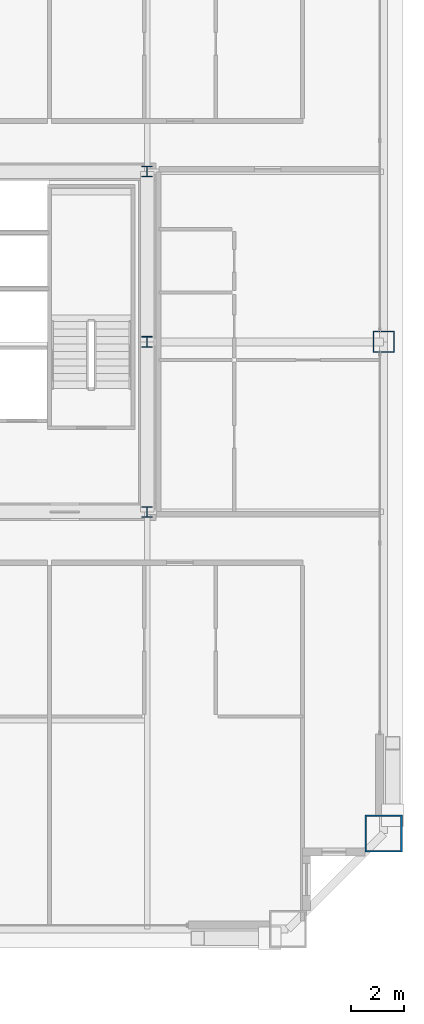
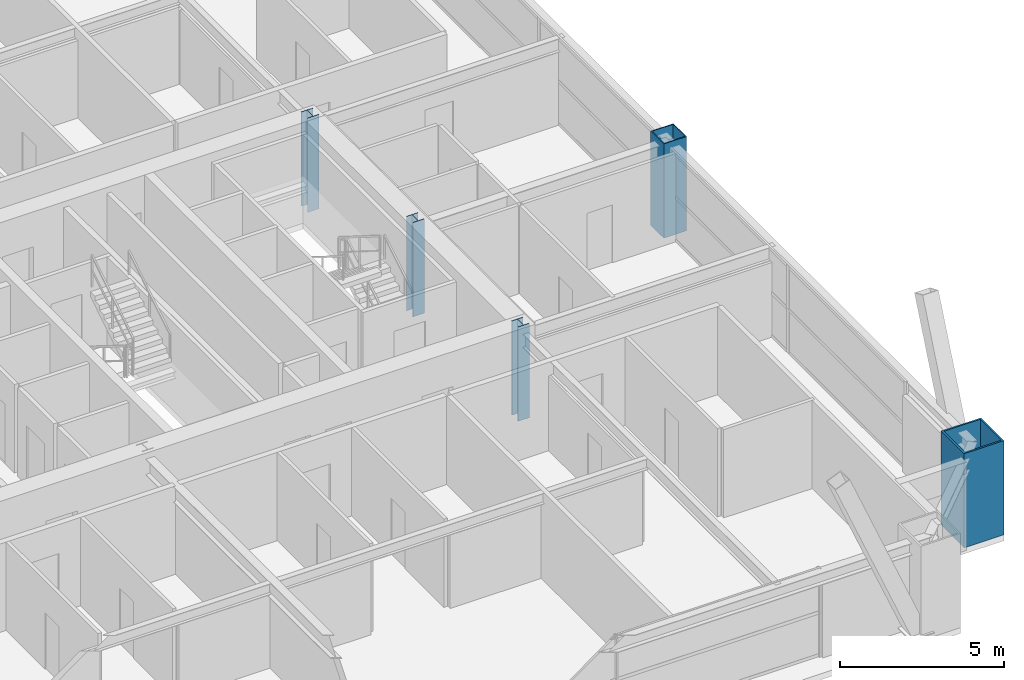
# One storey, part 2 of 42: 5 columns.
"""IFC4 building model written with IfcOpenShell, lengths in metres."""

from ifc_helpers import new_model, si_unit, direction, frame, origin, origin_2d, place, context, subcontext, project, spatial, hollow_rectangle, i_section, extrude, source, transform, mapped, material, material_profile, profile_set, type_object, element, save


model = new_model("IFC4")

# Units and contexts
model_context = context("Model", 3, precision=1e-05, world=origin(), true_north=direction((0.0, 1.0)))
body_context = subcontext(model_context, "Body", "Model", "MODEL_VIEW")
ifc_project = project(units=[si_unit("LENGTHUNIT", "METRE"), si_unit("AREAUNIT", "SQUARE_METRE"), si_unit("VOLUMEUNIT", "CUBIC_METRE"), si_unit("PLANEANGLEUNIT", "RADIAN"), si_unit("MASSUNIT", "GRAM", prefix="KILO"), si_unit("THERMODYNAMICTEMPERATUREUNIT", "KELVIN"), si_unit("POWERUNIT", "WATT")], contexts=[model_context])

# Site, building, storey
site_placement = place(None, origin())
site = spatial("IfcSite", under=ifc_project, at=site_placement, CompositionType="ELEMENT")
building_placement = place(site_placement, origin())
building = spatial("IfcBuilding", under=site, at=building_placement, Name="Yuzanri Waterfront Tower", CompositionType="ELEMENT")
storey_placement = place(building_placement, frame((0.0, 0.0, 184.5)))
storey = spatial("IfcBuildingStorey", under=building, at=storey_placement, Name="L48", CompositionType="ELEMENT", Elevation=184.5)

# Columns
ifc_material_1 = material(Name="Steel Q355B", Category="steel")
ifc_material_profile_1 = material_profile(ifc_material_1, i_section(OverallWidth=0.39990234375, OverallDepth=0.39990234375, WebThickness=0.012939453125, FlangeThickness=0.02099609375, at=origin_2d()), Name="HW 400x400x13x21")
ifc_profile_set_1 = profile_set([ifc_material_profile_1], Name="Steel Q355B")
column_type_1 = type_object("IfcColumnType", Name="Core Post Q355B HW 400x400x13x21", PredefinedType="COLUMN", material=ifc_profile_set_1)
shared_shape_1 = source(origin(), body_context, "Body", "SweptSolid", [
    extrude(i_section(OverallWidth=0.39990234375, OverallDepth=0.39990234375, WebThickness=0.012939453125, FlangeThickness=0.02099609375, at=origin_2d()), origin(), (0.0, 0.0, 1.0), 3.5),
])
for number, where, z_axis, x_axis, name in (
    (1, (50.199951171875, 19.39990234375, 0.0), (0.0, 0.0, 1.0), (1.0, 0.0, 0.0), "L48 Core Boundary Column CP3"),
    (2, (50.199951171875, 25.800048828125, 0.0), (0.0, 0.0, 1.0), (1.0, 0.0, 0.0), "L48 Core Boundary Column CP5"),
    (3, (50.199951171875, 32.199951171875, 0.0), (0.0, 0.0, 1.0), (1.0, 0.0, 0.0), "L48 Core Boundary Column CP8"),
):
    element("IfcColumn", number, at=place(storey_placement, frame(where, z_axis=z_axis, x_axis=x_axis)), inside=storey, type_object=column_type_1, Name=name, PredefinedType="COLUMN", context=body_context, shape_type="MappedRepresentation", body=[
        mapped(shared_shape_1, transform((0.0, 0.0, 0.0), scale=1.0)),
    ])
ifc_material_2 = material(Name="Steel Q420GJC", Category="steel")
ifc_material_profile_2 = material_profile(ifc_material_2, hollow_rectangle(XDim=1.39990234375, YDim=1.39990234375, WallThickness=0.06005859375, at=origin_2d()), Name="RHS 1400x1400x60")
ifc_profile_set_2 = profile_set([ifc_material_profile_2], Name="Steel Q420GJC")
column_type_2 = type_object("IfcColumnType", Name="Mega Column Q420GJC RHS 1400x1400x60", PredefinedType="COLUMN", material=ifc_profile_set_2)
shared_shape_2 = source(origin(), body_context, "Body", "SweptSolid", [
    extrude(hollow_rectangle(XDim=1.39990234375, YDim=1.39990234375, WallThickness=0.06005859375, at=origin_2d()), origin(), (0.0, 0.0, 1.0), 3.5),
])
column_1_placement = place(storey_placement, frame((59.10009765625, 7.300048828125, 0.0), z_axis=(0.0, 0.0, 1.0), x_axis=(1.0, 0.0, 0.0)))
element("IfcColumn", 4, at=column_1_placement, inside=storey, type_object=column_type_2, Name="L48 Perimeter Mega Column E1", PredefinedType="COLUMN", context=body_context, shape_type="MappedRepresentation", body=[
    mapped(shared_shape_2, transform((0.0, 0.0, 0.0), scale=1.0)),
])
ifc_material_3 = material(Name="Steel Q390GJC", Category="steel")
ifc_material_profile_3 = material_profile(ifc_material_3, hollow_rectangle(XDim=0.800048828125, YDim=0.800048828125, WallThickness=0.035888671875, at=origin_2d()), Name="RHS 800x800x36")
ifc_profile_set_3 = profile_set([ifc_material_profile_3], Name="Steel Q390GJC")
column_type_3 = type_object("IfcColumnType", Name="Frame Column Q390GJC RHS 800x800x36", PredefinedType="COLUMN", material=ifc_profile_set_3)
shared_shape_3 = source(origin(), body_context, "Body", "SweptSolid", [
    extrude(hollow_rectangle(XDim=0.800048828125, YDim=0.800048828125, WallThickness=0.035888671875, at=origin_2d()), origin(), (0.0, 0.0, 1.0), 3.5),
])
column_2_placement = place(storey_placement, frame((59.10009765625, 25.800048828125, 0.0), z_axis=(0.0, 0.0, 1.0), x_axis=(1.0, 0.0, 0.0)))
element("IfcColumn", 5, at=column_2_placement, inside=storey, type_object=column_type_3, Name="L48 Perimeter Frame Column E2", PredefinedType="COLUMN", context=body_context, shape_type="MappedRepresentation", body=[
    mapped(shared_shape_3, transform((0.0, 0.0, 0.0), scale=1.0)),
])

save(model, "model.ifc")
